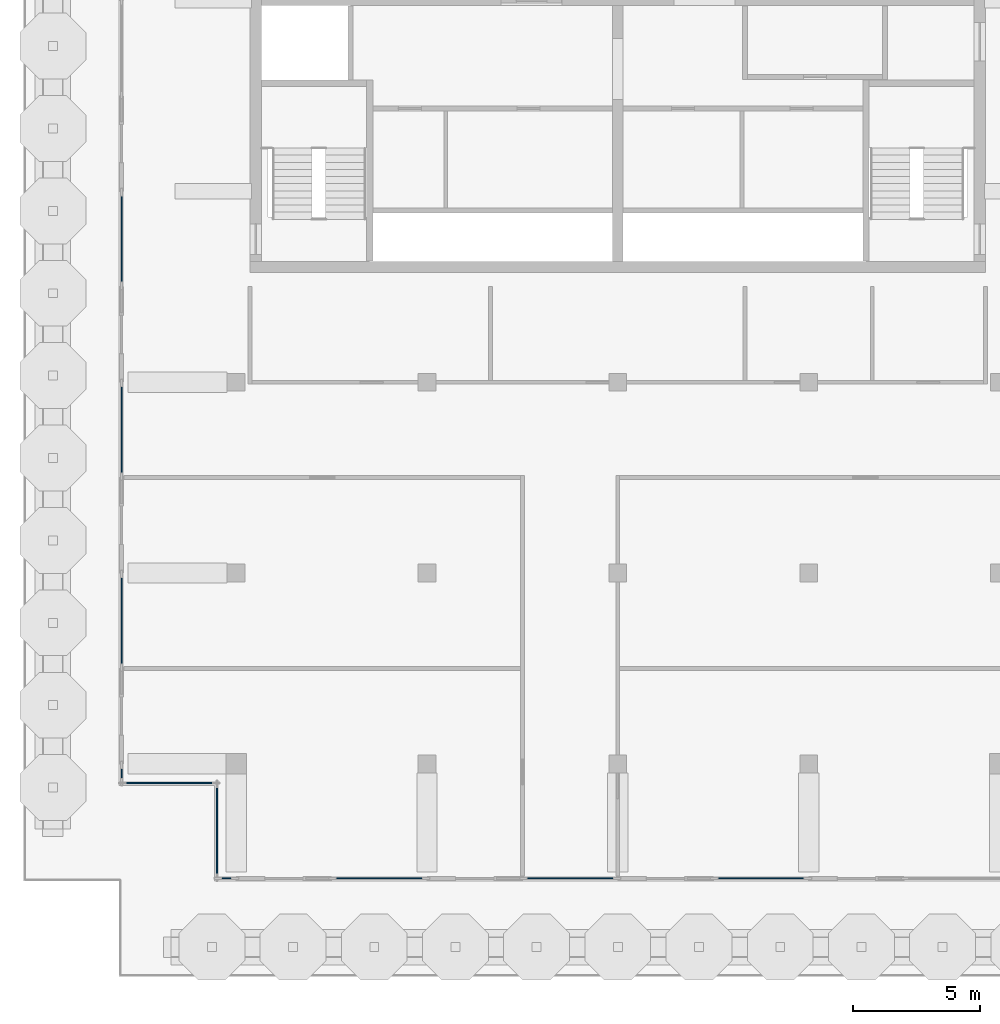
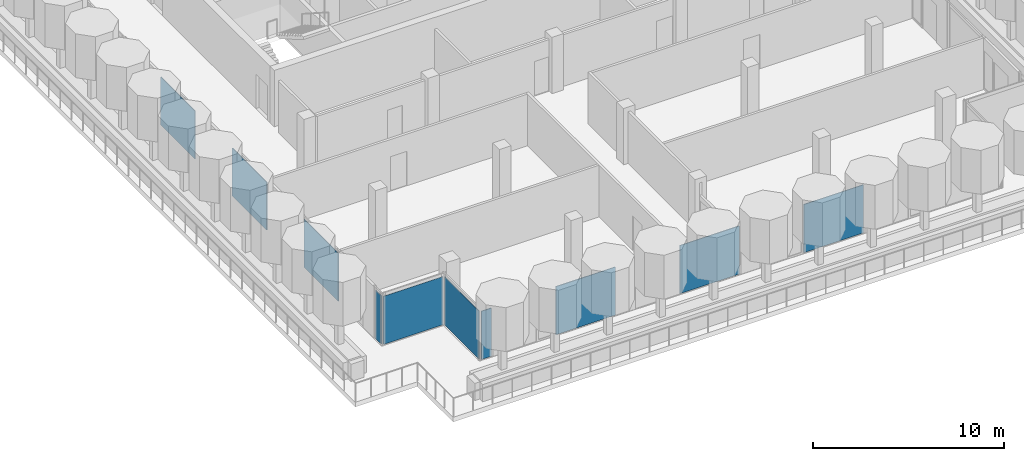
# One storey, part 5 of 15: 10 plates, 10 elements without a shape of their own.
"""IFC4 building model written with IfcOpenShell, lengths in metres."""

from ifc_helpers import new_model, si_unit, direction, frame, origin, origin_2d, place, context, subcontext, project, spatial, rectangle, extrude, material, layer, layer_set, type_object, element, aggregate, save


model = new_model("IFC4")

# Units and contexts
model_context = context("Model", 3, precision=1e-05, world=origin(), true_north=direction((0.0, 1.0)))
body_context = subcontext(model_context, "Body", "Model", "MODEL_VIEW")
ifc_project = project(units=[si_unit("LENGTHUNIT", "METRE"), si_unit("AREAUNIT", "SQUARE_METRE"), si_unit("VOLUMEUNIT", "CUBIC_METRE"), si_unit("PLANEANGLEUNIT", "RADIAN"), si_unit("MASSUNIT", "GRAM", prefix="KILO")], contexts=[model_context])

# Site, building, storey
site_placement = place(None, origin())
site = spatial("IfcSite", under=ifc_project, at=site_placement, CompositionType="ELEMENT")
building_placement = place(site_placement, origin())
building = spatial("IfcBuilding", under=site, at=building_placement, Name="Pilkhan Gate Tower", CompositionType="ELEMENT")
storey_placement = place(building_placement, frame((0.0, 0.0, 265.699951171875)))
storey = spatial("IfcBuildingStorey", under=building, at=storey_placement, Name="L69", CompositionType="ELEMENT", Elevation=265.699951171875)

# Curtain wall, plate
ifc_material_1 = material(Name="Pale anodised aluminium, clear low-iron double glazing", Category="aluminium")
curtain_wall_type = type_object("IfcCurtainWallType", Name="Crown unitised curtain wall CW-C", PredefinedType="USERDEFINED", material=ifc_material_1)
curtain_wall_1_placement = place(storey_placement, origin())
curtain_wall_1 = element("IfcCurtainWall", 1, at=curtain_wall_1_placement, inside=storey, type_object=curtain_wall_type, Name="Crown unitised curtain wall CW-C L69 W", ObjectType="UNITISED CURTAIN WALL", PredefinedType="USERDEFINED")
ifc_material_2 = material(Name="Clear low-iron double glazing", Category="glass")
ifc_layer = layer(ifc_material_2, 0.0439453125)
ifc_layer_set = layer_set([ifc_layer], Name="Glass panel CW-C 44")
plate_type = type_object("IfcPlateType", Name="Glass panel CW-C 44", PredefinedType="CURTAIN_PANEL", material=ifc_layer_set)
plate_1_placement = place(storey_placement, frame((55.5, 52.125, 0.0), z_axis=(0.0, 0.0, 1.0), x_axis=(0.0, 1.0, 0.0)))
plate_1 = element("IfcPlate", 2, at=plate_1_placement, type_object=plate_type, Name="CW-C panel 1", PredefinedType="CURTAIN_PANEL", context=body_context, shape_type="SweptSolid", body=[
    extrude(rectangle(XDim=0.60009765625, YDim=0.0439453125, at=origin_2d()), origin(), (0.0, 0.0, 1.0), 3.080078125),
])
aggregate(curtain_wall_1, [plate_1])

curtain_wall_2_placement = place(storey_placement, origin())
curtain_wall_2 = element("IfcCurtainWall", 3, at=curtain_wall_2_placement, inside=storey, type_object=curtain_wall_type, Name="Crown unitised curtain wall CW-C L69 W", ObjectType="UNITISED CURTAIN WALL", PredefinedType="USERDEFINED")
plate_2_placement = place(storey_placement, frame((55.5, 58.125, 0.0), z_axis=(0.0, 0.0, 1.0), x_axis=(0.0, 1.0, 0.0)))
plate_2 = element("IfcPlate", 4, at=plate_2_placement, type_object=plate_type, Name="CW-C panel 1", PredefinedType="CURTAIN_PANEL", context=body_context, shape_type="SweptSolid", body=[
    extrude(rectangle(XDim=3.60009765625, YDim=0.0439453125, at=origin_2d()), origin(), (0.0, 0.0, 1.0), 3.080078125),
])
aggregate(curtain_wall_2, [plate_2])

curtain_wall_3_placement = place(storey_placement, origin())
curtain_wall_3 = element("IfcCurtainWall", 5, at=curtain_wall_3_placement, inside=storey, type_object=curtain_wall_type, Name="Crown unitised curtain wall CW-C L69 W", ObjectType="UNITISED CURTAIN WALL", PredefinedType="USERDEFINED")
plate_3_placement = place(storey_placement, frame((55.5, 65.625, 0.0), z_axis=(0.0, 0.0, 1.0), x_axis=(0.0, 1.0, 0.0)))
plate_3 = element("IfcPlate", 6, at=plate_3_placement, type_object=plate_type, Name="CW-C panel 1", PredefinedType="CURTAIN_PANEL", context=body_context, shape_type="SweptSolid", body=[
    extrude(rectangle(XDim=3.60009765625, YDim=0.0439453125, at=origin_2d()), origin(), (0.0, 0.0, 1.0), 3.080078125),
])
aggregate(curtain_wall_3, [plate_3])

curtain_wall_4_placement = place(storey_placement, origin())
curtain_wall_4 = element("IfcCurtainWall", 7, at=curtain_wall_4_placement, inside=storey, type_object=curtain_wall_type, Name="Crown unitised curtain wall CW-C L69 W", ObjectType="UNITISED CURTAIN WALL", PredefinedType="USERDEFINED")
plate_4_placement = place(storey_placement, frame((55.5, 73.125, 0.0), z_axis=(0.0, 0.0, 1.0), x_axis=(0.0, 1.0, 0.0)))
plate_4 = element("IfcPlate", 8, at=plate_4_placement, type_object=plate_type, Name="CW-C panel 1", PredefinedType="CURTAIN_PANEL", context=body_context, shape_type="SweptSolid", body=[
    extrude(rectangle(XDim=3.60009765625, YDim=0.0439453125, at=origin_2d()), origin(), (0.0, 0.0, 1.0), 3.080078125),
])
aggregate(curtain_wall_4, [plate_4])

curtain_wall_5_placement = place(storey_placement, origin())
curtain_wall_5 = element("IfcCurtainWall", 9, at=curtain_wall_5_placement, inside=storey, type_object=curtain_wall_type, Name="Crown unitised curtain wall CW-C L69 S", ObjectType="UNITISED CURTAIN WALL", PredefinedType="USERDEFINED")
plate_5_placement = place(storey_placement, frame((57.375, 51.75, 0.0), z_axis=(0.0, 0.0, 1.0), x_axis=(1.0, 0.0, 0.0)))
plate_5 = element("IfcPlate", 10, at=plate_5_placement, type_object=plate_type, Name="CW-C panel 1", PredefinedType="CURTAIN_PANEL", context=body_context, shape_type="SweptSolid", body=[
    extrude(rectangle(XDim=3.60009765625, YDim=0.0439453125, at=origin_2d()), origin(), (0.0, 0.0, 1.0), 3.080078125),
])
aggregate(curtain_wall_5, [plate_5])

curtain_wall_6_placement = place(storey_placement, origin())
curtain_wall_6 = element("IfcCurtainWall", 11, at=curtain_wall_6_placement, inside=storey, type_object=curtain_wall_type, Name="Crown unitised curtain wall CW-C L69 W", ObjectType="UNITISED CURTAIN WALL", PredefinedType="USERDEFINED")
plate_6_placement = place(storey_placement, frame((59.25, 49.875, 0.0), z_axis=(0.0, 0.0, 1.0), x_axis=(0.0, 1.0, 0.0)))
plate_6 = element("IfcPlate", 12, at=plate_6_placement, type_object=plate_type, Name="CW-C panel 1", PredefinedType="CURTAIN_PANEL", context=body_context, shape_type="SweptSolid", body=[
    extrude(rectangle(XDim=3.60009765625, YDim=0.0439453125, at=origin_2d()), origin(), (0.0, 0.0, 1.0), 3.080078125),
])
aggregate(curtain_wall_6, [plate_6])

curtain_wall_7_placement = place(storey_placement, origin())
curtain_wall_7 = element("IfcCurtainWall", 13, at=curtain_wall_7_placement, inside=storey, type_object=curtain_wall_type, Name="Crown unitised curtain wall CW-C L69 S", ObjectType="UNITISED CURTAIN WALL", PredefinedType="USERDEFINED")
plate_7_placement = place(storey_placement, frame((59.625, 48.0, 0.0), z_axis=(0.0, 0.0, 1.0), x_axis=(1.0, 0.0, 0.0)))
plate_7 = element("IfcPlate", 14, at=plate_7_placement, type_object=plate_type, Name="CW-C panel 1", PredefinedType="CURTAIN_PANEL", context=body_context, shape_type="SweptSolid", body=[
    extrude(rectangle(XDim=0.60009765625, YDim=0.0439453125, at=origin_2d()), origin(), (0.0, 0.0, 1.0), 3.080078125),
])
aggregate(curtain_wall_7, [plate_7])

curtain_wall_8_placement = place(storey_placement, origin())
curtain_wall_8 = element("IfcCurtainWall", 15, at=curtain_wall_8_placement, inside=storey, type_object=curtain_wall_type, Name="Crown unitised curtain wall CW-C L69 S", ObjectType="UNITISED CURTAIN WALL", PredefinedType="USERDEFINED")
plate_8_placement = place(storey_placement, frame((65.625, 48.0, 0.0), z_axis=(0.0, 0.0, 1.0), x_axis=(1.0, 0.0, 0.0)))
plate_8 = element("IfcPlate", 16, at=plate_8_placement, type_object=plate_type, Name="CW-C panel 1", PredefinedType="CURTAIN_PANEL", context=body_context, shape_type="SweptSolid", body=[
    extrude(rectangle(XDim=3.60009765625, YDim=0.0439453125, at=origin_2d()), origin(), (0.0, 0.0, 1.0), 3.080078125),
])
aggregate(curtain_wall_8, [plate_8])

curtain_wall_9_placement = place(storey_placement, origin())
curtain_wall_9 = element("IfcCurtainWall", 17, at=curtain_wall_9_placement, inside=storey, type_object=curtain_wall_type, Name="Crown unitised curtain wall CW-C L69 S", ObjectType="UNITISED CURTAIN WALL", PredefinedType="USERDEFINED")
plate_9_placement = place(storey_placement, frame((73.125, 48.0, 0.0), z_axis=(0.0, 0.0, 1.0), x_axis=(1.0, 0.0, 0.0)))
plate_9 = element("IfcPlate", 18, at=plate_9_placement, type_object=plate_type, Name="CW-C panel 1", PredefinedType="CURTAIN_PANEL", context=body_context, shape_type="SweptSolid", body=[
    extrude(rectangle(XDim=3.60009765625, YDim=0.0439453125, at=origin_2d()), origin(), (0.0, 0.0, 1.0), 3.080078125),
])
aggregate(curtain_wall_9, [plate_9])

curtain_wall_10_placement = place(storey_placement, origin())
curtain_wall_10 = element("IfcCurtainWall", 19, at=curtain_wall_10_placement, inside=storey, type_object=curtain_wall_type, Name="Crown unitised curtain wall CW-C L69 S", ObjectType="UNITISED CURTAIN WALL", PredefinedType="USERDEFINED")
plate_10_placement = place(storey_placement, frame((80.625, 48.0, 0.0), z_axis=(0.0, 0.0, 1.0), x_axis=(1.0, 0.0, 0.0)))
plate_10 = element("IfcPlate", 20, at=plate_10_placement, type_object=plate_type, Name="CW-C panel 1", PredefinedType="CURTAIN_PANEL", context=body_context, shape_type="SweptSolid", body=[
    extrude(rectangle(XDim=3.60009765625, YDim=0.0439453125, at=origin_2d()), origin(), (0.0, 0.0, 1.0), 3.080078125),
])
aggregate(curtain_wall_10, [plate_10])

save(model, "model.ifc")
